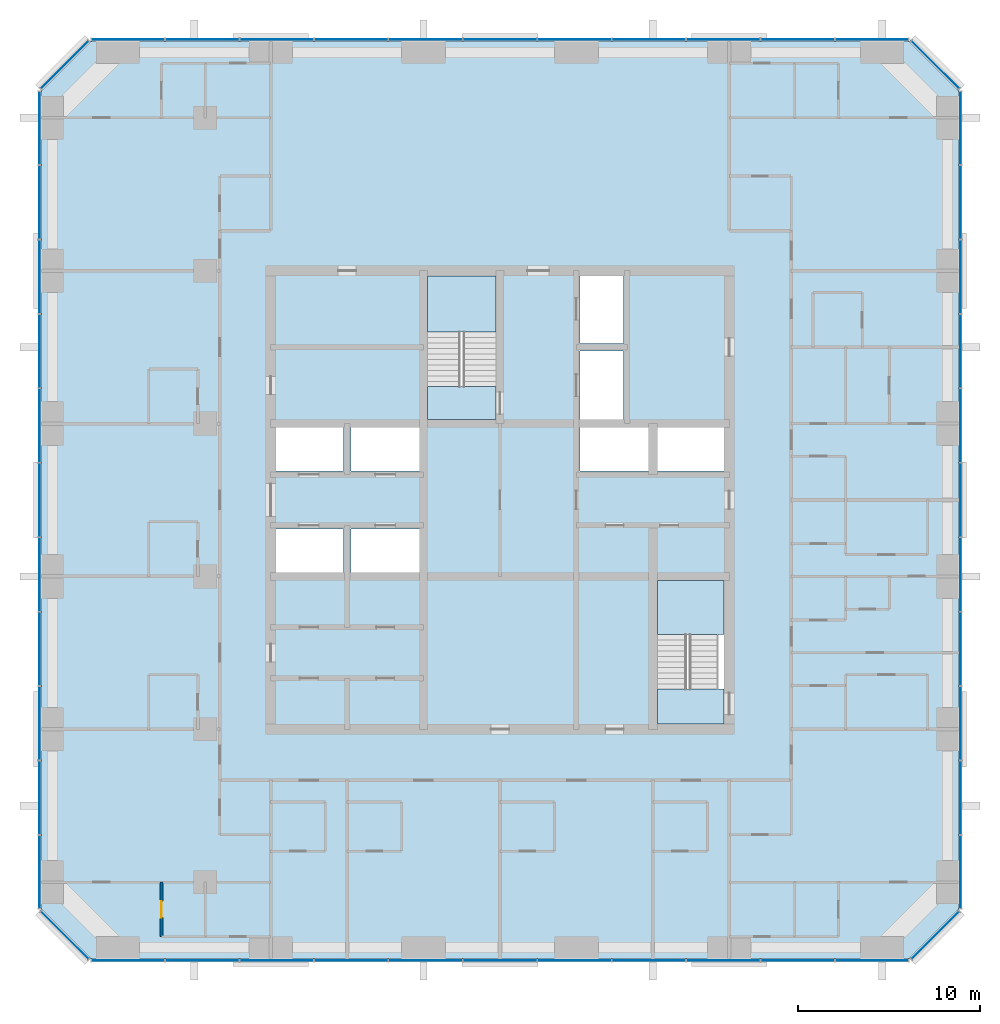
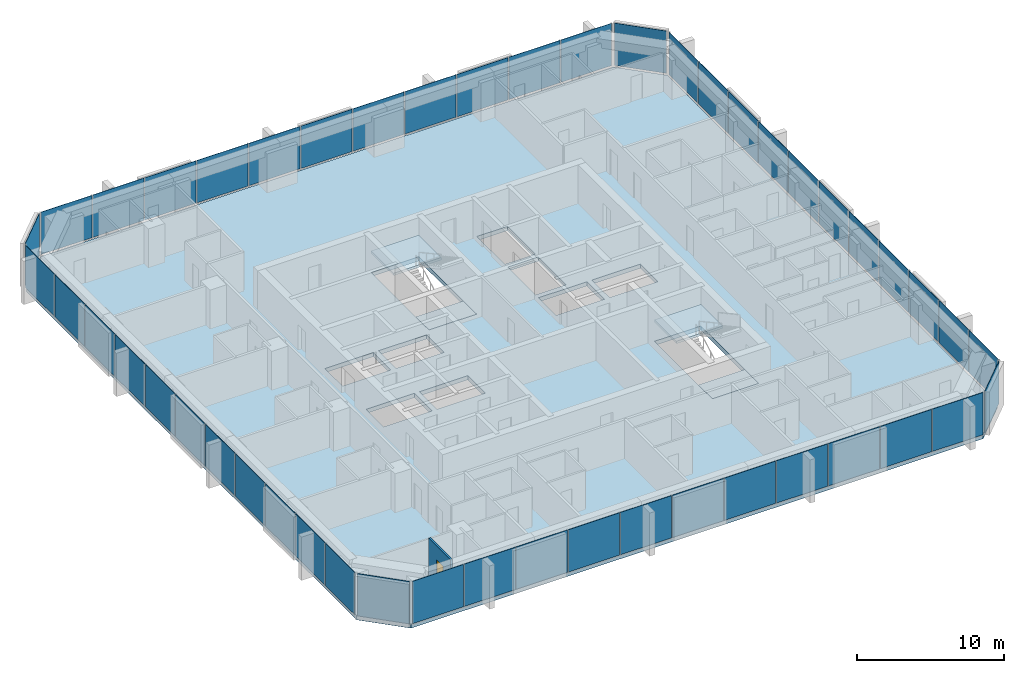
# One storey, part 7 of 13: 48 plates, 5 slabs, 1 door, 1 wall, 1 opening, 10 elements without a shape of their own.
"""IFC4 building model written with IfcOpenShell, lengths in metres."""

from ifc_helpers import new_model, si_unit, direction, frame, frame_2d, origin, origin_2d, place, context, subcontext, project, spatial, polyline, rectangle, outline, extrude, material, layer, layer_set, type_object, element, fill, aggregate, save


model = new_model("IFC4")

# Units and contexts
model_context = context("Model", 3, precision=1e-05, world=origin(), true_north=direction((0.0, 1.0)))
body_context = subcontext(model_context, "Body", "Model", "MODEL_VIEW")
ifc_project = project(units=[si_unit("LENGTHUNIT", "METRE"), si_unit("AREAUNIT", "SQUARE_METRE"), si_unit("VOLUMEUNIT", "CUBIC_METRE"), si_unit("PLANEANGLEUNIT", "RADIAN"), si_unit("MASSUNIT", "GRAM", prefix="KILO")], contexts=[model_context])

# Site, building, storey
site_placement = place(None, origin())
site = spatial("IfcSite", under=ifc_project, at=site_placement, CompositionType="ELEMENT")
building_placement = place(site_placement, origin())
building = spatial("IfcBuilding", under=site, at=building_placement, Name="Dunama Terrace Hotel", CompositionType="ELEMENT")
storey_placement = place(building_placement, frame((0.0, 0.0, 187.800048828125)))
storey = spatial("IfcBuildingStorey", under=building, at=storey_placement, Name="L48", CompositionType="ELEMENT", Elevation=187.800048828125)

# Curtain wall, plates
ifc_material_1 = material(Name="Aluminium curtain wall system", Category="aluminium")
curtain_wall_type = type_object("IfcCurtainWallType", Name="Unitised fritted glass wall CW-C", PredefinedType="NOTDEFINED", material=ifc_material_1)
curtain_wall_1_placement = place(storey_placement, origin())
curtain_wall_1 = element("IfcCurtainWall", 1, at=curtain_wall_1_placement, inside=storey, type_object=curtain_wall_type, Name="Unitised fritted glass wall CW-C L48", PredefinedType="NOTDEFINED")
ifc_material_2 = material(Name="Laminated glass", Category="glass")
ifc_layer_1 = layer(ifc_material_2, 0.031982421875)
ifc_layer_set_1 = layer_set([ifc_layer_1], Name="CWC clear glass panel")
plate_type_1 = type_object("IfcPlateType", Name="CWC clear glass panel", PredefinedType="CURTAIN_PANEL", material=ifc_layer_set_1)
plate_1_placement = place(storey_placement, frame((13.035888671875, 4.10009765625, 0.079833984375), z_axis=(0.0, 0.0, 1.0), x_axis=(1.0, 0.0, 0.0)))
plate_1 = element("IfcPlate", 2, at=plate_1_placement, type_object=plate_type_1, Name="CWC clear glass panel", PredefinedType="CURTAIN_PANEL", context=body_context, shape_type="SweptSolid", body=[
    extrude(rectangle(XDim=4.02099609375, YDim=0.031982421875, at=origin_2d()), origin(), (0.0, 0.0, 1.0), 3.52001953125),
])
plate_2_placement = place(storey_placement, frame((25.30908203125, 4.10009765625, 0.079833984375), z_axis=(0.0, 0.0, 1.0), x_axis=(1.0, 0.0, 0.0)))
plate_2 = element("IfcPlate", 3, at=plate_2_placement, type_object=plate_type_1, Name="CWC clear glass panel", PredefinedType="CURTAIN_PANEL", context=body_context, shape_type="SweptSolid", body=[
    extrude(rectangle(XDim=4.02099609375, YDim=0.031982421875, at=origin_2d()), origin(), (0.0, 0.0, 1.0), 3.52001953125),
])
plate_3_placement = place(storey_placement, frame((37.58203125, 4.10009765625, 0.079833984375), z_axis=(0.0, 0.0, 1.0), x_axis=(1.0, 0.0, 0.0)))
plate_3 = element("IfcPlate", 4, at=plate_3_placement, type_object=plate_type_1, Name="CWC clear glass panel", PredefinedType="CURTAIN_PANEL", context=body_context, shape_type="SweptSolid", body=[
    extrude(rectangle(XDim=4.02099609375, YDim=0.031982421875, at=origin_2d()), origin(), (0.0, 0.0, 1.0), 3.52001953125),
])
plate_4_placement = place(storey_placement, frame((49.8369140625, 4.10009765625, 0.079833984375), z_axis=(0.0, 0.0, 1.0), x_axis=(1.0, 0.0, 0.0)))
plate_4 = element("IfcPlate", 5, at=plate_4_placement, type_object=plate_type_1, Name="CWC clear glass panel", PredefinedType="CURTAIN_PANEL", context=body_context, shape_type="SweptSolid", body=[
    extrude(rectangle(XDim=3.98583984375, YDim=0.031982421875, at=origin_2d()), origin(), (0.0, 0.0, 1.0), 3.52001953125),
])

curtain_wall_2_placement = place(storey_placement, origin())
curtain_wall_2 = element("IfcCurtainWall", 6, at=curtain_wall_2_placement, inside=storey, type_object=curtain_wall_type, Name="Unitised fritted glass wall CW-C L48", PredefinedType="NOTDEFINED")
plate_5_placement = place(storey_placement, frame((54.699951171875, 13.035888671875, 0.079833984375), z_axis=(0.0, 0.0, 1.0), x_axis=(0.0, 1.0, 0.0)))
plate_5 = element("IfcPlate", 7, at=plate_5_placement, type_object=plate_type_1, Name="CWC clear glass panel", PredefinedType="CURTAIN_PANEL", context=body_context, shape_type="SweptSolid", body=[
    extrude(rectangle(XDim=4.02099609375, YDim=0.031982421875, at=origin_2d()), origin(), (0.0, 0.0, 1.0), 3.52001953125),
])
plate_6_placement = place(storey_placement, frame((54.699951171875, 25.30908203125, 0.079833984375), z_axis=(0.0, 0.0, 1.0), x_axis=(0.0, 1.0, 0.0)))
plate_6 = element("IfcPlate", 8, at=plate_6_placement, type_object=plate_type_1, Name="CWC clear glass panel", PredefinedType="CURTAIN_PANEL", context=body_context, shape_type="SweptSolid", body=[
    extrude(rectangle(XDim=4.02099609375, YDim=0.031982421875, at=origin_2d()), origin(), (0.0, 0.0, 1.0), 3.52001953125),
])
plate_7_placement = place(storey_placement, frame((54.699951171875, 37.58203125, 0.079833984375), z_axis=(0.0, 0.0, 1.0), x_axis=(0.0, 1.0, 0.0)))
plate_7 = element("IfcPlate", 9, at=plate_7_placement, type_object=plate_type_1, Name="CWC clear glass panel", PredefinedType="CURTAIN_PANEL", context=body_context, shape_type="SweptSolid", body=[
    extrude(rectangle(XDim=4.02099609375, YDim=0.031982421875, at=origin_2d()), origin(), (0.0, 0.0, 1.0), 3.52001953125),
])
plate_8_placement = place(storey_placement, frame((54.699951171875, 49.8369140625, 0.079833984375), z_axis=(0.0, 0.0, 1.0), x_axis=(0.0, 1.0, 0.0)))
plate_8 = element("IfcPlate", 10, at=plate_8_placement, type_object=plate_type_1, Name="CWC clear glass panel", PredefinedType="CURTAIN_PANEL", context=body_context, shape_type="SweptSolid", body=[
    extrude(rectangle(XDim=3.98583984375, YDim=0.031982421875, at=origin_2d()), origin(), (0.0, 0.0, 1.0), 3.52001953125),
])

curtain_wall_3_placement = place(storey_placement, origin())
curtain_wall_3 = element("IfcCurtainWall", 11, at=curtain_wall_3_placement, inside=storey, type_object=curtain_wall_type, Name="Unitised fritted glass wall CW-C L48", PredefinedType="NOTDEFINED")
plate_9_placement = place(storey_placement, frame((45.763916015625, 54.699951171875, 0.079833984375), z_axis=(0.0, 0.0, 1.0), x_axis=(-1.0, 0.0, 0.0)))
plate_9 = element("IfcPlate", 12, at=plate_9_placement, type_object=plate_type_1, Name="CWC clear glass panel", PredefinedType="CURTAIN_PANEL", context=body_context, shape_type="SweptSolid", body=[
    extrude(rectangle(XDim=4.02099609375, YDim=0.031982421875, at=origin_2d()), origin(), (0.0, 0.0, 1.0), 3.52001953125),
])
plate_10_placement = place(storey_placement, frame((33.490966796875, 54.699951171875, 0.079833984375), z_axis=(0.0, 0.0, 1.0), x_axis=(-1.0, 0.0, 0.0)))
plate_10 = element("IfcPlate", 13, at=plate_10_placement, type_object=plate_type_1, Name="CWC clear glass panel", PredefinedType="CURTAIN_PANEL", context=body_context, shape_type="SweptSolid", body=[
    extrude(rectangle(XDim=4.02099609375, YDim=0.031982421875, at=origin_2d()), origin(), (0.0, 0.0, 1.0), 3.52001953125),
])
plate_11_placement = place(storey_placement, frame((21.218017578125, 54.699951171875, 0.079833984375), z_axis=(0.0, 0.0, 1.0), x_axis=(-1.0, 0.0, 0.0)))
plate_11 = element("IfcPlate", 14, at=plate_11_placement, type_object=plate_type_1, Name="CWC clear glass panel", PredefinedType="CURTAIN_PANEL", context=body_context, shape_type="SweptSolid", body=[
    extrude(rectangle(XDim=4.02099609375, YDim=0.031982421875, at=origin_2d()), origin(), (0.0, 0.0, 1.0), 3.52001953125),
])
plate_12_placement = place(storey_placement, frame((8.962890625, 54.699951171875, 0.079833984375), z_axis=(0.0, 0.0, 1.0), x_axis=(-1.0, 0.0, 0.0)))
plate_12 = element("IfcPlate", 15, at=plate_12_placement, type_object=plate_type_1, Name="CWC clear glass panel", PredefinedType="CURTAIN_PANEL", context=body_context, shape_type="SweptSolid", body=[
    extrude(rectangle(XDim=3.98583984375, YDim=0.031982421875, at=origin_2d()), origin(), (0.0, 0.0, 1.0), 3.52001953125),
])

curtain_wall_4_placement = place(storey_placement, origin())
curtain_wall_4 = element("IfcCurtainWall", 16, at=curtain_wall_4_placement, inside=storey, type_object=curtain_wall_type, Name="Unitised fritted glass wall CW-C L48", PredefinedType="NOTDEFINED")
plate_13_placement = place(storey_placement, frame((4.10009765625, 45.763916015625, 0.079833984375), z_axis=(0.0, 0.0, 1.0), x_axis=(0.0, -1.0, 0.0)))
plate_13 = element("IfcPlate", 17, at=plate_13_placement, type_object=plate_type_1, Name="CWC clear glass panel", PredefinedType="CURTAIN_PANEL", context=body_context, shape_type="SweptSolid", body=[
    extrude(rectangle(XDim=4.02099609375, YDim=0.031982421875, at=origin_2d()), origin(), (0.0, 0.0, 1.0), 3.52001953125),
])
plate_14_placement = place(storey_placement, frame((4.10009765625, 33.490966796875, 0.079833984375), z_axis=(0.0, 0.0, 1.0), x_axis=(0.0, -1.0, 0.0)))
plate_14 = element("IfcPlate", 18, at=plate_14_placement, type_object=plate_type_1, Name="CWC clear glass panel", PredefinedType="CURTAIN_PANEL", context=body_context, shape_type="SweptSolid", body=[
    extrude(rectangle(XDim=4.02099609375, YDim=0.031982421875, at=origin_2d()), origin(), (0.0, 0.0, 1.0), 3.52001953125),
])
plate_15_placement = place(storey_placement, frame((4.10009765625, 21.218017578125, 0.079833984375), z_axis=(0.0, 0.0, 1.0), x_axis=(0.0, -1.0, 0.0)))
plate_15 = element("IfcPlate", 19, at=plate_15_placement, type_object=plate_type_1, Name="CWC clear glass panel", PredefinedType="CURTAIN_PANEL", context=body_context, shape_type="SweptSolid", body=[
    extrude(rectangle(XDim=4.02099609375, YDim=0.031982421875, at=origin_2d()), origin(), (0.0, 0.0, 1.0), 3.52001953125),
])
plate_16_placement = place(storey_placement, frame((4.10009765625, 8.962890625, 0.079833984375), z_axis=(0.0, 0.0, 1.0), x_axis=(0.0, -1.0, 0.0)))
plate_16 = element("IfcPlate", 20, at=plate_16_placement, type_object=plate_type_1, Name="CWC clear glass panel", PredefinedType="CURTAIN_PANEL", context=body_context, shape_type="SweptSolid", body=[
    extrude(rectangle(XDim=3.98583984375, YDim=0.031982421875, at=origin_2d()), origin(), (0.0, 0.0, 1.0), 3.52001953125),
])

# Plate
ifc_material_3 = material(Name="Fritted laminated glass", Category="glass")
ifc_layer_2 = layer(ifc_material_3, 0.031982421875)
ifc_layer_set_2 = layer_set([ifc_layer_2], Name="CWC fritted glass panel")
plate_type_2 = type_object("IfcPlateType", Name="CWC fritted glass panel", PredefinedType="CURTAIN_PANEL", material=ifc_layer_set_2)
plate_17_placement = place(storey_placement, frame((8.962890625, 4.10009765625, 0.079833984375), z_axis=(0.0, 0.0, 1.0), x_axis=(1.0, 0.0, 0.0)))
plate_17 = element("IfcPlate", 21, at=plate_17_placement, type_object=plate_type_2, Name="CWC fritted glass panel", PredefinedType="CURTAIN_PANEL", context=body_context, shape_type="SweptSolid", body=[
    extrude(rectangle(XDim=3.98583984375, YDim=0.031982421875, at=origin_2d()), origin(), (0.0, 0.0, 1.0), 3.52001953125),
])

plate_18_placement = place(storey_placement, frame((21.218017578125, 4.10009765625, 0.079833984375), z_axis=(0.0, 0.0, 1.0), x_axis=(1.0, 0.0, 0.0)))
plate_18 = element("IfcPlate", 22, at=plate_18_placement, type_object=plate_type_2, Name="CWC fritted glass panel", PredefinedType="CURTAIN_PANEL", context=body_context, shape_type="SweptSolid", body=[
    extrude(rectangle(XDim=4.02099609375, YDim=0.031982421875, at=origin_2d()), origin(), (0.0, 0.0, 1.0), 3.52001953125),
])

plate_19_placement = place(storey_placement, frame((33.490966796875, 4.10009765625, 0.079833984375), z_axis=(0.0, 0.0, 1.0), x_axis=(1.0, 0.0, 0.0)))
plate_19 = element("IfcPlate", 23, at=plate_19_placement, type_object=plate_type_2, Name="CWC fritted glass panel", PredefinedType="CURTAIN_PANEL", context=body_context, shape_type="SweptSolid", body=[
    extrude(rectangle(XDim=4.02099609375, YDim=0.031982421875, at=origin_2d()), origin(), (0.0, 0.0, 1.0), 3.52001953125),
])

plate_20_placement = place(storey_placement, frame((45.763916015625, 4.10009765625, 0.079833984375), z_axis=(0.0, 0.0, 1.0), x_axis=(1.0, 0.0, 0.0)))
plate_20 = element("IfcPlate", 24, at=plate_20_placement, type_object=plate_type_2, Name="CWC fritted glass panel", PredefinedType="CURTAIN_PANEL", context=body_context, shape_type="SweptSolid", body=[
    extrude(rectangle(XDim=4.02099609375, YDim=0.031982421875, at=origin_2d()), origin(), (0.0, 0.0, 1.0), 3.52001953125),
])

plate_21_placement = place(storey_placement, frame((54.699951171875, 8.962890625, 0.079833984375), z_axis=(0.0, 0.0, 1.0), x_axis=(0.0, 1.0, 0.0)))
plate_21 = element("IfcPlate", 25, at=plate_21_placement, type_object=plate_type_2, Name="CWC fritted glass panel", PredefinedType="CURTAIN_PANEL", context=body_context, shape_type="SweptSolid", body=[
    extrude(rectangle(XDim=3.98583984375, YDim=0.031982421875, at=origin_2d()), origin(), (0.0, 0.0, 1.0), 3.52001953125),
])

plate_22_placement = place(storey_placement, frame((54.699951171875, 21.218017578125, 0.079833984375), z_axis=(0.0, 0.0, 1.0), x_axis=(0.0, 1.0, 0.0)))
plate_22 = element("IfcPlate", 26, at=plate_22_placement, type_object=plate_type_2, Name="CWC fritted glass panel", PredefinedType="CURTAIN_PANEL", context=body_context, shape_type="SweptSolid", body=[
    extrude(rectangle(XDim=4.02099609375, YDim=0.031982421875, at=origin_2d()), origin(), (0.0, 0.0, 1.0), 3.52001953125),
])

plate_23_placement = place(storey_placement, frame((54.699951171875, 33.490966796875, 0.079833984375), z_axis=(0.0, 0.0, 1.0), x_axis=(0.0, 1.0, 0.0)))
plate_23 = element("IfcPlate", 27, at=plate_23_placement, type_object=plate_type_2, Name="CWC fritted glass panel", PredefinedType="CURTAIN_PANEL", context=body_context, shape_type="SweptSolid", body=[
    extrude(rectangle(XDim=4.02099609375, YDim=0.031982421875, at=origin_2d()), origin(), (0.0, 0.0, 1.0), 3.52001953125),
])

plate_24_placement = place(storey_placement, frame((54.699951171875, 45.763916015625, 0.079833984375), z_axis=(0.0, 0.0, 1.0), x_axis=(0.0, 1.0, 0.0)))
plate_24 = element("IfcPlate", 28, at=plate_24_placement, type_object=plate_type_2, Name="CWC fritted glass panel", PredefinedType="CURTAIN_PANEL", context=body_context, shape_type="SweptSolid", body=[
    extrude(rectangle(XDim=4.02099609375, YDim=0.031982421875, at=origin_2d()), origin(), (0.0, 0.0, 1.0), 3.52001953125),
])

plate_25_placement = place(storey_placement, frame((49.8369140625, 54.699951171875, 0.079833984375), z_axis=(0.0, 0.0, 1.0), x_axis=(-1.0, 0.0, 0.0)))
plate_25 = element("IfcPlate", 29, at=plate_25_placement, type_object=plate_type_2, Name="CWC fritted glass panel", PredefinedType="CURTAIN_PANEL", context=body_context, shape_type="SweptSolid", body=[
    extrude(rectangle(XDim=3.98583984375, YDim=0.031982421875, at=origin_2d()), origin(), (0.0, 0.0, 1.0), 3.52001953125),
])

plate_26_placement = place(storey_placement, frame((37.58203125, 54.699951171875, 0.079833984375), z_axis=(0.0, 0.0, 1.0), x_axis=(-1.0, 0.0, 0.0)))
plate_26 = element("IfcPlate", 30, at=plate_26_placement, type_object=plate_type_2, Name="CWC fritted glass panel", PredefinedType="CURTAIN_PANEL", context=body_context, shape_type="SweptSolid", body=[
    extrude(rectangle(XDim=4.02099609375, YDim=0.031982421875, at=origin_2d()), origin(), (0.0, 0.0, 1.0), 3.52001953125),
])

plate_27_placement = place(storey_placement, frame((25.30908203125, 54.699951171875, 0.079833984375), z_axis=(0.0, 0.0, 1.0), x_axis=(-1.0, 0.0, 0.0)))
plate_27 = element("IfcPlate", 31, at=plate_27_placement, type_object=plate_type_2, Name="CWC fritted glass panel", PredefinedType="CURTAIN_PANEL", context=body_context, shape_type="SweptSolid", body=[
    extrude(rectangle(XDim=4.02099609375, YDim=0.031982421875, at=origin_2d()), origin(), (0.0, 0.0, 1.0), 3.52001953125),
])

plate_28_placement = place(storey_placement, frame((13.035888671875, 54.699951171875, 0.079833984375), z_axis=(0.0, 0.0, 1.0), x_axis=(-1.0, 0.0, 0.0)))
plate_28 = element("IfcPlate", 32, at=plate_28_placement, type_object=plate_type_2, Name="CWC fritted glass panel", PredefinedType="CURTAIN_PANEL", context=body_context, shape_type="SweptSolid", body=[
    extrude(rectangle(XDim=4.02099609375, YDim=0.031982421875, at=origin_2d()), origin(), (0.0, 0.0, 1.0), 3.52001953125),
])

plate_29_placement = place(storey_placement, frame((4.10009765625, 49.8369140625, 0.079833984375), z_axis=(0.0, 0.0, 1.0), x_axis=(0.0, -1.0, 0.0)))
plate_29 = element("IfcPlate", 33, at=plate_29_placement, type_object=plate_type_2, Name="CWC fritted glass panel", PredefinedType="CURTAIN_PANEL", context=body_context, shape_type="SweptSolid", body=[
    extrude(rectangle(XDim=3.98583984375, YDim=0.031982421875, at=origin_2d()), origin(), (0.0, 0.0, 1.0), 3.52001953125),
])

plate_30_placement = place(storey_placement, frame((4.10009765625, 37.58203125, 0.079833984375), z_axis=(0.0, 0.0, 1.0), x_axis=(0.0, -1.0, 0.0)))
plate_30 = element("IfcPlate", 34, at=plate_30_placement, type_object=plate_type_2, Name="CWC fritted glass panel", PredefinedType="CURTAIN_PANEL", context=body_context, shape_type="SweptSolid", body=[
    extrude(rectangle(XDim=4.02099609375, YDim=0.031982421875, at=origin_2d()), origin(), (0.0, 0.0, 1.0), 3.52001953125),
])

plate_31_placement = place(storey_placement, frame((4.10009765625, 25.30908203125, 0.079833984375), z_axis=(0.0, 0.0, 1.0), x_axis=(0.0, -1.0, 0.0)))
plate_31 = element("IfcPlate", 35, at=plate_31_placement, type_object=plate_type_2, Name="CWC fritted glass panel", PredefinedType="CURTAIN_PANEL", context=body_context, shape_type="SweptSolid", body=[
    extrude(rectangle(XDim=4.02099609375, YDim=0.031982421875, at=origin_2d()), origin(), (0.0, 0.0, 1.0), 3.52001953125),
])

plate_32_placement = place(storey_placement, frame((4.10009765625, 13.035888671875, 0.079833984375), z_axis=(0.0, 0.0, 1.0), x_axis=(0.0, -1.0, 0.0)))
plate_32 = element("IfcPlate", 36, at=plate_32_placement, type_object=plate_type_2, Name="CWC fritted glass panel", PredefinedType="CURTAIN_PANEL", context=body_context, shape_type="SweptSolid", body=[
    extrude(rectangle(XDim=4.02099609375, YDim=0.031982421875, at=origin_2d()), origin(), (0.0, 0.0, 1.0), 3.52001953125),
])

ifc_material_4 = material(Name="Laminated glass", Category="glass")
ifc_layer_3 = layer(ifc_material_4, 0.031982421875)
ifc_layer_set_3 = layer_set([ifc_layer_3], Name="CWC operable glass panel")
plate_type_3 = type_object("IfcPlateType", Name="CWC operable glass panel", PredefinedType="CURTAIN_PANEL", material=ifc_layer_set_3)
plate_33_placement = place(storey_placement, frame((17.126953125, 4.10009765625, 0.079833984375), z_axis=(0.0, 0.0, 1.0), x_axis=(1.0, 0.0, 0.0)))
plate_33 = element("IfcPlate", 37, at=plate_33_placement, type_object=plate_type_3, Name="CWC operable glass panel", PredefinedType="CURTAIN_PANEL", context=body_context, shape_type="SweptSolid", body=[
    extrude(rectangle(XDim=4.02099609375, YDim=0.031982421875, at=origin_2d()), origin(), (0.0, 0.0, 1.0), 3.52001953125),
])

plate_34_placement = place(storey_placement, frame((29.39990234375, 4.10009765625, 0.079833984375), z_axis=(0.0, 0.0, 1.0), x_axis=(1.0, 0.0, 0.0)))
plate_34 = element("IfcPlate", 38, at=plate_34_placement, type_object=plate_type_3, Name="CWC operable glass panel", PredefinedType="CURTAIN_PANEL", context=body_context, shape_type="SweptSolid", body=[
    extrude(rectangle(XDim=4.02099609375, YDim=0.031982421875, at=origin_2d()), origin(), (0.0, 0.0, 1.0), 3.52001953125),
])

plate_35_placement = place(storey_placement, frame((41.673095703125, 4.10009765625, 0.079833984375), z_axis=(0.0, 0.0, 1.0), x_axis=(1.0, 0.0, 0.0)))
plate_35 = element("IfcPlate", 39, at=plate_35_placement, type_object=plate_type_3, Name="CWC operable glass panel", PredefinedType="CURTAIN_PANEL", context=body_context, shape_type="SweptSolid", body=[
    extrude(rectangle(XDim=4.02099609375, YDim=0.031982421875, at=origin_2d()), origin(), (0.0, 0.0, 1.0), 3.52001953125),
])

aggregate(curtain_wall_1, [plate_17, plate_1, plate_33, plate_18, plate_2, plate_34, plate_19, plate_3, plate_35, plate_20, plate_4])

# Curtain wall, plate
curtain_wall_5_placement = place(storey_placement, origin())
curtain_wall_5 = element("IfcCurtainWall", 40, at=curtain_wall_5_placement, inside=storey, type_object=curtain_wall_type, Name="Unitised fritted glass wall CW-C L48", PredefinedType="NOTDEFINED")
plate_36_placement = place(storey_placement, frame((53.321044921875, 5.47900390625, 0.079833984375), z_axis=(0.0, 0.0, 1.0), x_axis=(0.707106781187, 0.707106781187, 0.0)))
plate_36 = element("IfcPlate", 41, at=plate_36_placement, type_object=plate_type_3, Name="CWC operable glass panel", PredefinedType="CURTAIN_PANEL", context=body_context, shape_type="SweptSolid", body=[
    extrude(rectangle(XDim=3.678466796875, YDim=0.031982421875, at=origin_2d()), origin(), (0.0, 0.0, 1.0), 3.52001953125),
])
aggregate(curtain_wall_5, [plate_36])

# Plate
plate_37_placement = place(storey_placement, frame((54.699951171875, 17.126953125, 0.079833984375), z_axis=(0.0, 0.0, 1.0), x_axis=(0.0, 1.0, 0.0)))
plate_37 = element("IfcPlate", 42, at=plate_37_placement, type_object=plate_type_3, Name="CWC operable glass panel", PredefinedType="CURTAIN_PANEL", context=body_context, shape_type="SweptSolid", body=[
    extrude(rectangle(XDim=4.02099609375, YDim=0.031982421875, at=origin_2d()), origin(), (0.0, 0.0, 1.0), 3.52001953125),
])

plate_38_placement = place(storey_placement, frame((54.699951171875, 29.39990234375, 0.079833984375), z_axis=(0.0, 0.0, 1.0), x_axis=(0.0, 1.0, 0.0)))
plate_38 = element("IfcPlate", 43, at=plate_38_placement, type_object=plate_type_3, Name="CWC operable glass panel", PredefinedType="CURTAIN_PANEL", context=body_context, shape_type="SweptSolid", body=[
    extrude(rectangle(XDim=4.02099609375, YDim=0.031982421875, at=origin_2d()), origin(), (0.0, 0.0, 1.0), 3.52001953125),
])

plate_39_placement = place(storey_placement, frame((54.699951171875, 41.673095703125, 0.079833984375), z_axis=(0.0, 0.0, 1.0), x_axis=(0.0, 1.0, 0.0)))
plate_39 = element("IfcPlate", 44, at=plate_39_placement, type_object=plate_type_3, Name="CWC operable glass panel", PredefinedType="CURTAIN_PANEL", context=body_context, shape_type="SweptSolid", body=[
    extrude(rectangle(XDim=4.02099609375, YDim=0.031982421875, at=origin_2d()), origin(), (0.0, 0.0, 1.0), 3.52001953125),
])

aggregate(curtain_wall_2, [plate_21, plate_5, plate_37, plate_22, plate_6, plate_38, plate_23, plate_7, plate_39, plate_24, plate_8])

# Curtain wall, plate
curtain_wall_6_placement = place(storey_placement, origin())
curtain_wall_6 = element("IfcCurtainWall", 45, at=curtain_wall_6_placement, inside=storey, type_object=curtain_wall_type, Name="Unitised fritted glass wall CW-C L48", PredefinedType="NOTDEFINED")
plate_40_placement = place(storey_placement, frame((53.321044921875, 53.321044921875, 0.079833984375), z_axis=(0.0, 0.0, 1.0), x_axis=(-0.707106781187, 0.707106781187, 0.0)))
plate_40 = element("IfcPlate", 46, at=plate_40_placement, type_object=plate_type_3, Name="CWC operable glass panel", PredefinedType="CURTAIN_PANEL", context=body_context, shape_type="SweptSolid", body=[
    extrude(rectangle(XDim=3.678466796875, YDim=0.031982421875, at=origin_2d()), origin(), (0.0, 0.0, 1.0), 3.52001953125),
])
aggregate(curtain_wall_6, [plate_40])

# Plate
plate_41_placement = place(storey_placement, frame((41.673095703125, 54.699951171875, 0.079833984375), z_axis=(0.0, 0.0, 1.0), x_axis=(-1.0, 0.0, 0.0)))
plate_41 = element("IfcPlate", 47, at=plate_41_placement, type_object=plate_type_3, Name="CWC operable glass panel", PredefinedType="CURTAIN_PANEL", context=body_context, shape_type="SweptSolid", body=[
    extrude(rectangle(XDim=4.02099609375, YDim=0.031982421875, at=origin_2d()), origin(), (0.0, 0.0, 1.0), 3.52001953125),
])

plate_42_placement = place(storey_placement, frame((29.39990234375, 54.699951171875, 0.079833984375), z_axis=(0.0, 0.0, 1.0), x_axis=(-1.0, 0.0, 0.0)))
plate_42 = element("IfcPlate", 48, at=plate_42_placement, type_object=plate_type_3, Name="CWC operable glass panel", PredefinedType="CURTAIN_PANEL", context=body_context, shape_type="SweptSolid", body=[
    extrude(rectangle(XDim=4.02099609375, YDim=0.031982421875, at=origin_2d()), origin(), (0.0, 0.0, 1.0), 3.52001953125),
])

plate_43_placement = place(storey_placement, frame((17.126953125, 54.699951171875, 0.079833984375), z_axis=(0.0, 0.0, 1.0), x_axis=(-1.0, 0.0, 0.0)))
plate_43 = element("IfcPlate", 49, at=plate_43_placement, type_object=plate_type_3, Name="CWC operable glass panel", PredefinedType="CURTAIN_PANEL", context=body_context, shape_type="SweptSolid", body=[
    extrude(rectangle(XDim=4.02099609375, YDim=0.031982421875, at=origin_2d()), origin(), (0.0, 0.0, 1.0), 3.52001953125),
])

aggregate(curtain_wall_3, [plate_25, plate_9, plate_41, plate_26, plate_10, plate_42, plate_27, plate_11, plate_43, plate_28, plate_12])

# Curtain wall, plate
curtain_wall_7_placement = place(storey_placement, origin())
curtain_wall_7 = element("IfcCurtainWall", 50, at=curtain_wall_7_placement, inside=storey, type_object=curtain_wall_type, Name="Unitised fritted glass wall CW-C L48", PredefinedType="NOTDEFINED")
plate_44_placement = place(storey_placement, frame((5.47900390625, 53.321044921875, 0.079833984375), z_axis=(0.0, 0.0, 1.0), x_axis=(-0.707106781187, -0.707106781187, 0.0)))
plate_44 = element("IfcPlate", 51, at=plate_44_placement, type_object=plate_type_3, Name="CWC operable glass panel", PredefinedType="CURTAIN_PANEL", context=body_context, shape_type="SweptSolid", body=[
    extrude(rectangle(XDim=3.678466796875, YDim=0.031982421875, at=origin_2d()), origin(), (0.0, 0.0, 1.0), 3.52001953125),
])
aggregate(curtain_wall_7, [plate_44])

# Plate
plate_45_placement = place(storey_placement, frame((4.10009765625, 41.673095703125, 0.079833984375), z_axis=(0.0, 0.0, 1.0), x_axis=(0.0, -1.0, 0.0)))
plate_45 = element("IfcPlate", 52, at=plate_45_placement, type_object=plate_type_3, Name="CWC operable glass panel", PredefinedType="CURTAIN_PANEL", context=body_context, shape_type="SweptSolid", body=[
    extrude(rectangle(XDim=4.02099609375, YDim=0.031982421875, at=origin_2d()), origin(), (0.0, 0.0, 1.0), 3.52001953125),
])

plate_46_placement = place(storey_placement, frame((4.10009765625, 29.39990234375, 0.079833984375), z_axis=(0.0, 0.0, 1.0), x_axis=(0.0, -1.0, 0.0)))
plate_46 = element("IfcPlate", 53, at=plate_46_placement, type_object=plate_type_3, Name="CWC operable glass panel", PredefinedType="CURTAIN_PANEL", context=body_context, shape_type="SweptSolid", body=[
    extrude(rectangle(XDim=4.02099609375, YDim=0.031982421875, at=origin_2d()), origin(), (0.0, 0.0, 1.0), 3.52001953125),
])

plate_47_placement = place(storey_placement, frame((4.10009765625, 17.126953125, 0.079833984375), z_axis=(0.0, 0.0, 1.0), x_axis=(0.0, -1.0, 0.0)))
plate_47 = element("IfcPlate", 54, at=plate_47_placement, type_object=plate_type_3, Name="CWC operable glass panel", PredefinedType="CURTAIN_PANEL", context=body_context, shape_type="SweptSolid", body=[
    extrude(rectangle(XDim=4.02099609375, YDim=0.031982421875, at=origin_2d()), origin(), (0.0, 0.0, 1.0), 3.52001953125),
])

aggregate(curtain_wall_4, [plate_29, plate_13, plate_45, plate_30, plate_14, plate_46, plate_31, plate_15, plate_47, plate_32, plate_16])

# Curtain wall, plate
curtain_wall_8_placement = place(storey_placement, origin())
curtain_wall_8 = element("IfcCurtainWall", 55, at=curtain_wall_8_placement, inside=storey, type_object=curtain_wall_type, Name="Unitised fritted glass wall CW-C L48", PredefinedType="NOTDEFINED")
plate_48_placement = place(storey_placement, frame((5.47900390625, 5.47900390625, 0.079833984375), z_axis=(0.0, 0.0, 1.0), x_axis=(0.707106781187, -0.707106781187, 0.0)))
plate_48 = element("IfcPlate", 56, at=plate_48_placement, type_object=plate_type_3, Name="CWC operable glass panel", PredefinedType="CURTAIN_PANEL", context=body_context, shape_type="SweptSolid", body=[
    extrude(rectangle(XDim=3.678466796875, YDim=0.031982421875, at=origin_2d()), origin(), (0.0, 0.0, 1.0), 3.52001953125),
])
aggregate(curtain_wall_8, [plate_48])

# Slab
ifc_material_5 = material(Name="Concrete C40/50", Category="concrete")
ifc_layer_4 = layer(ifc_material_5, 0.35009765625)
ifc_layer_set_4 = layer_set([ifc_layer_4], Name="Flat plate 350")
slab_type_1 = type_object("IfcSlabType", Name="Flat plate 350", PredefinedType="FLOOR", material=ifc_layer_set_4)
slab_1_placement = place(storey_placement, frame((0.0, 0.0, -0.35009765625)))
element("IfcSlab", 57, at=slab_1_placement, inside=storey, type_object=slab_type_1, Name="Floor slab L48", PredefinedType="FLOOR", context=body_context, shape_type="SweptSolid", body=[
    extrude(outline(polyline([(6.89990234375, 4.199951171875), (51.89990234375, 4.199951171875), (54.60009765625, 6.89990234375), (54.60009765625, 51.89990234375), (51.89990234375, 54.60009765625), (6.89990234375, 54.60009765625), (4.199951171875, 51.89990234375), (4.199951171875, 6.89990234375), (6.89990234375, 4.199951171875)]), holes=[polyline([(20.800048828125, 25.39990234375), (20.800048828125, 27.800048828125), (17.0, 27.800048828125), (17.0, 25.39990234375), (20.800048828125, 25.39990234375)]), polyline([(25.0, 25.39990234375), (25.0, 27.800048828125), (21.199951171875, 27.800048828125), (21.199951171875, 25.39990234375), (25.0, 25.39990234375)]), polyline([(20.800048828125, 31.0), (20.800048828125, 33.39990234375), (17.0, 33.39990234375), (17.0, 31.0), (20.800048828125, 31.0)]), polyline([(25.0, 31.0), (25.0, 33.39990234375), (21.199951171875, 33.39990234375), (21.199951171875, 31.0), (25.0, 31.0)]), polyline([(37.60009765625, 31.0), (37.60009765625, 33.39990234375), (33.800048828125, 33.39990234375), (33.800048828125, 31.0), (37.60009765625, 31.0)]), polyline([(41.800048828125, 31.0), (41.800048828125, 33.39990234375), (38.0, 33.39990234375), (38.0, 31.0), (41.800048828125, 31.0)]), polyline([(36.199951171875, 38.0), (36.199951171875, 41.800048828125), (33.800048828125, 41.800048828125), (33.800048828125, 38.0), (36.199951171875, 38.0)]), polyline([(36.199951171875, 33.800048828125), (36.199951171875, 37.60009765625), (33.800048828125, 37.60009765625), (33.800048828125, 33.800048828125), (36.199951171875, 33.800048828125)]), polyline([(29.175048828125, 33.824951171875), (29.175048828125, 41.699951171875), (25.425048828125, 41.699951171875), (25.425048828125, 33.824951171875), (29.175048828125, 33.824951171875)]), polyline([(41.699951171875, 17.10009765625), (41.699951171875, 24.97509765625), (38.050048828125, 24.97509765625), (38.050048828125, 17.10009765625), (41.699951171875, 17.10009765625)])]), origin(), (0.0, 0.0, 1.0), 0.35009765625),
])

# Stair, slabs
ifc_material_6 = material(Name="Concrete C40/50", Category="concrete")
stair_type_1 = type_object("IfcStairType", Name="Stair ST1-3600-1800", PredefinedType="HALF_TURN_STAIR", material=ifc_material_6)
stair_1_placement = place(storey_placement, origin())
stair_1 = element("IfcStair", 58, at=stair_1_placement, inside=storey, type_object=stair_type_1, Name="Stair ST1 L48", PredefinedType="HALF_TURN_STAIR")
ifc_material_7 = material(Name="Concrete C40/50", Category="concrete")
ifc_layer_5 = layer(ifc_material_7, 0.199951171875)
ifc_layer_set_5 = layer_set([ifc_layer_5], Name="Stair landing 200")
slab_type_2 = type_object("IfcSlabType", Name="Stair landing 200", PredefinedType="LANDING", material=ifc_layer_set_5)
slab_2_placement = place(storey_placement, frame((0.0, 0.0, -0.199951171875)))
slab_2 = element("IfcSlab", 59, at=slab_2_placement, type_object=slab_type_2, Name="ST1 landing 1, type S10", PredefinedType="LANDING", context=body_context, shape_type="SweptSolid", body=[
    extrude(outline(polyline([(25.425048828125, 33.824951171875), (29.175048828125, 33.824951171875), (29.175048828125, 35.625), (25.425048828125, 35.625), (25.425048828125, 33.824951171875)])), origin(), (0.0, 0.0, 1.0), 0.199951171875),
])
slab_3_placement = place(storey_placement, frame((0.0, 0.0, 1.599853515625)))
slab_3 = element("IfcSlab", 60, at=slab_3_placement, type_object=slab_type_2, Name="ST1 landing 2, type S10", PredefinedType="LANDING", context=body_context, shape_type="SweptSolid", body=[
    extrude(outline(polyline([(25.425048828125, 38.625), (29.175048828125, 38.625), (29.175048828125, 41.699951171875), (25.425048828125, 41.699951171875), (25.425048828125, 38.625)])), origin(), (0.0, 0.0, 1.0), 0.2001953125),
])
aggregate(stair_1, [slab_2, slab_3])

ifc_material_8 = material(Name="Concrete C40/50", Category="concrete")
stair_type_2 = type_object("IfcStairType", Name="Stair ST2-3600-1600", PredefinedType="HALF_TURN_STAIR", material=ifc_material_8)
stair_2_placement = place(storey_placement, origin())
stair_2 = element("IfcStair", 61, at=stair_2_placement, inside=storey, type_object=stair_type_2, Name="Stair ST2 L48", PredefinedType="HALF_TURN_STAIR")
slab_4_placement = place(storey_placement, frame((0.0, 0.0, -0.199951171875)))
slab_4 = element("IfcSlab", 62, at=slab_4_placement, type_object=slab_type_2, Name="ST2 landing 1, type S10", PredefinedType="LANDING", context=body_context, shape_type="SweptSolid", body=[
    extrude(outline(polyline([(38.050048828125, 17.10009765625), (41.699951171875, 17.10009765625), (41.699951171875, 19.0), (38.050048828125, 19.0), (38.050048828125, 17.10009765625)])), origin(), (0.0, 0.0, 1.0), 0.199951171875),
])
slab_5_placement = place(storey_placement, frame((0.0, 0.0, 1.599853515625)))
slab_5 = element("IfcSlab", 63, at=slab_5_placement, type_object=slab_type_2, Name="ST2 landing 2, type S10", PredefinedType="LANDING", context=body_context, shape_type="SweptSolid", body=[
    extrude(outline(polyline([(38.050048828125, 22.0), (41.699951171875, 22.0), (41.699951171875, 24.97509765625), (38.050048828125, 24.97509765625), (38.050048828125, 22.0)])), origin(), (0.0, 0.0, 1.0), 0.2001953125),
])
aggregate(stair_2, [slab_4, slab_5])

# Wall, opening, door
ifc_material_9 = material(Name="Gypsum board partition", Category="masonry")
ifc_layer_6 = layer(ifc_material_9, 0.14990234375)
ifc_layer_set_6 = layer_set([ifc_layer_6], Name="Room partition 150")
wall_type = type_object("IfcWallType", Name="Room partition 150", PredefinedType="PARTITIONING", material=ifc_layer_set_6)
wall_placement = place(storey_placement, frame((10.800048828125, 5.39990234375, 0.0), z_axis=(0.0, 0.0, 1.0), x_axis=(0.0, 1.0, 0.0)))
wall = element("IfcWall", 64, at=wall_placement, inside=storey, type_object=wall_type, Name="Room partition 150 L48", PredefinedType="PARTITIONING", context=body_context, shape_type="SweptSolid", body=[
    extrude(rectangle(XDim=3.0, YDim=0.14990234375, at=frame_2d((1.5, 0.0))), origin(), (0.0, 0.0, 1.0), 3.25),
])
opening_placement = place(wall_placement, frame((1.050048828125, 0.0, 0.0)))
opening = element("IfcOpeningElement", 65, at=opening_placement, cuts=wall, Name="Opening L48-50-043", PredefinedType="OPENING", context=body_context, shape_type="SweptSolid", body=[
    extrude(rectangle(XDim=0.89990234375, YDim=2.10009765625, at=frame_2d((0.449951171875, 1.050048828125))), frame((0.0, 0.0849609375, 0.0), z_axis=(0.0, -1.0, 0.0), x_axis=(1.0, 0.0, 0.0)), (0.0, 0.0, 1.0), 0.169921875),
])
ifc_material_10 = material(Name="Timber door with steel frame", Category="steel")
door_type = type_object("IfcDoorType", Name="Suite internal door 900", OperationType="SINGLE_SWING_LEFT", PredefinedType="DOOR", material=ifc_material_10)
door_placement = place(opening_placement, frame((0.89990234375, 0.0, 0.0), z_axis=(0.0, 0.0, 1.0), x_axis=(-1.0, 0.0, 0.0)))
door = element("IfcDoor", 66, at=door_placement, inside=storey, type_object=door_type, Name="Door to dressing room L48-50-043, type D16", OperationType="SINGLE_SWING_LEFT", OverallHeight=2.10009765625, OverallWidth=0.89990234375, PredefinedType="DOOR", context=body_context, shape_type="SweptSolid", body=[
    extrude(rectangle(XDim=0.89990234375, YDim=2.10009765625, at=frame_2d((0.449951171875, 1.050048828125))), frame((0.0, 0.025146484375, 0.0), z_axis=(0.0, -1.0, 0.0), x_axis=(1.0, 0.0, 0.0)), (0.0, 0.0, 1.0), 0.050048828125),
])
fill(opening, door)

save(model, "model.ifc")
